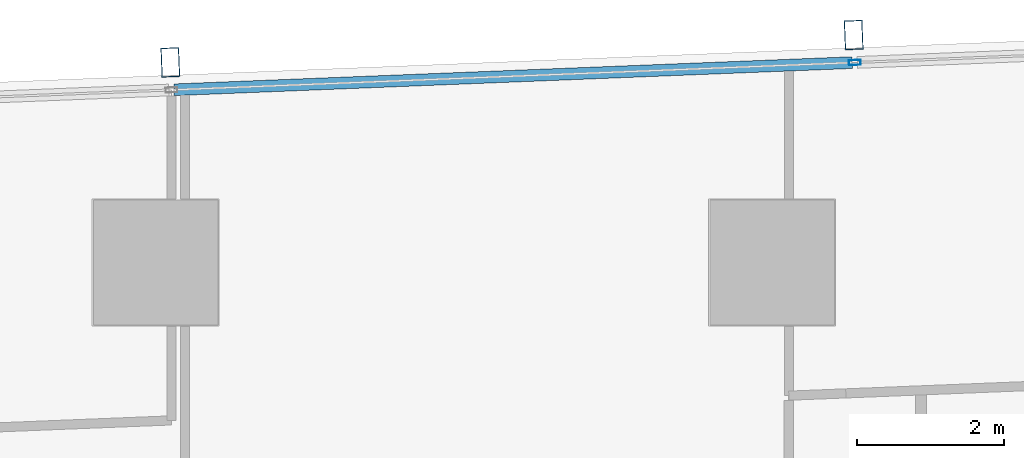
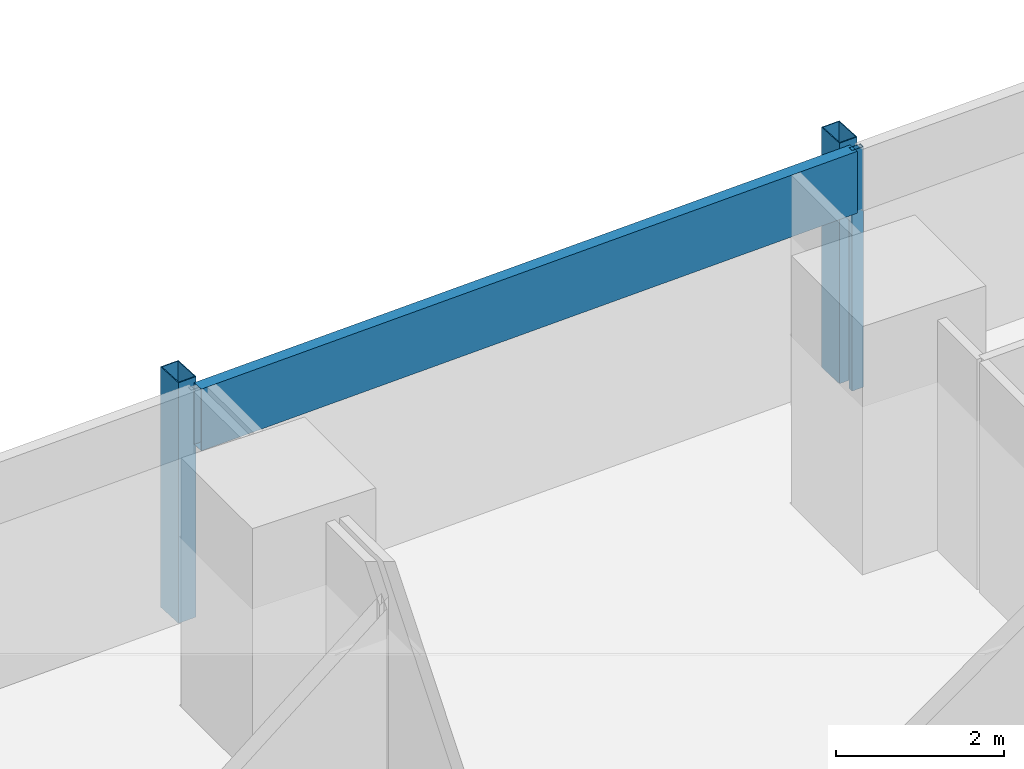
# One storey, part 17 of 40: 4 members, 1 element without a shape of its own.
"""IFC4 building model written with IfcOpenShell, lengths in metres."""

from ifc_helpers import new_model, si_unit, direction, frame, origin, origin_2d, place, context, subcontext, project, spatial, hollow_rectangle, extrude, material, material_profile, profile_set, type_object, element, aggregate, save


model = new_model("IFC4")

# Units and contexts
model_context = context("Model", 3, precision=1e-05, world=origin(), true_north=direction((0.0, 1.0)))
body_context = subcontext(model_context, "Body", "Model", "MODEL_VIEW")
ifc_project = project(units=[si_unit("LENGTHUNIT", "METRE"), si_unit("AREAUNIT", "SQUARE_METRE"), si_unit("VOLUMEUNIT", "CUBIC_METRE"), si_unit("PLANEANGLEUNIT", "RADIAN"), si_unit("MASSUNIT", "GRAM", prefix="KILO")], contexts=[model_context])

# Site, building, storey
site_placement = place(None, origin())
site = spatial("IfcSite", under=ifc_project, at=site_placement, CompositionType="ELEMENT")
building_placement = place(site_placement, origin())
building = spatial("IfcBuilding", under=site, at=building_placement, Name="Rekha Terrace Tower", CompositionType="ELEMENT")
storey_placement = place(building_placement, frame((0.0, 0.0, 106.550048828125)))
storey = spatial("IfcBuildingStorey", under=building, at=storey_placement, Name="L26", CompositionType="ELEMENT", Elevation=106.550048828125)

# Curtain wall, members
ifc_material_1 = material(Name="Aluminium framing", Category="aluminium")
curtain_wall_type = type_object("IfcCurtainWallType", Name="CW3 north unitised glazing", PredefinedType="USERDEFINED", material=ifc_material_1)
curtain_wall_placement = place(storey_placement, origin())
curtain_wall = element("IfcCurtainWall", 1, at=curtain_wall_placement, inside=storey, type_object=curtain_wall_type, Name="CW3 unitised curtain wall", ObjectType="UNITISED CURTAIN WALL", PredefinedType="USERDEFINED")
ifc_material_2 = material(Name="Steel S355 with fluorocarbon finish", Category="steel")
ifc_material_profile_1 = material_profile(ifc_material_2, hollow_rectangle(XDim=0.25, YDim=0.39990234375, WallThickness=0.012451171875, at=origin_2d()), Name="RHS400x250x12.5")
ifc_profile_set_1 = profile_set([ifc_material_profile_1], Name="Steel S355 with fluorocarbon finish")
member_type_1 = type_object("IfcMemberType", Name="BL1 facade blade RHS 400 x 250", PredefinedType="USERDEFINED", material=ifc_profile_set_1)
member_1_placement = place(storey_placement, frame((34.7109375, 61.9013671875, 0.0), z_axis=(0.0, 0.0, 1.0), x_axis=(-0.999198382632, -0.040032388711, 0.0)))
member_1 = element("IfcMember", 2, at=member_1_placement, type_object=member_type_1, Name="Facade blade", ObjectType="FACADE BLADE", PredefinedType="USERDEFINED", context=body_context, shape_type="SweptSolid", body=[
    extrude(hollow_rectangle(XDim=0.25, YDim=0.39990234375, WallThickness=0.012451171875, at=origin_2d()), origin(), (0.0, 0.0, 1.0), 3.5),
])
member_2_placement = place(storey_placement, frame((25.39892578125, 61.5283203125, 0.0), z_axis=(0.0, 0.0, 1.0), x_axis=(-0.999198382632, -0.040032388711, 0.0)))
member_2 = element("IfcMember", 3, at=member_2_placement, type_object=member_type_1, Name="Facade blade", ObjectType="FACADE BLADE", PredefinedType="USERDEFINED", context=body_context, shape_type="SweptSolid", body=[
    extrude(hollow_rectangle(XDim=0.25, YDim=0.39990234375, WallThickness=0.012451171875, at=origin_2d()), origin(), (0.0, 0.0, 1.0), 3.5),
])
ifc_material_3 = material(Name="Aluminium mullion section", Category="aluminium")
ifc_material_profile_2 = material_profile(ifc_material_3, hollow_rectangle(XDim=0.070068359375, YDim=0.159912109375, WallThickness=0.00390625, at=origin_2d()), Name="AL RHS 70x160")
ifc_profile_set_2 = profile_set([ifc_material_profile_2], Name="Aluminium mullion section")
member_type_2 = type_object("IfcMemberType", Name="CW3 mullion RHS 70 x 160", PredefinedType="MULLION", material=ifc_profile_set_2)
member_3_placement = place(storey_placement, frame((34.725830078125, 61.526611328125, 0.0), z_axis=(0.0, 0.0, 1.0), x_axis=(0.040031987119, -0.999198398721, 0.0)))
member_3 = element("IfcMember", 4, at=member_3_placement, type_object=member_type_2, Name="CW3 mullion 2", PredefinedType="MULLION", context=body_context, shape_type="SweptSolid", body=[
    extrude(hollow_rectangle(XDim=0.070068359375, YDim=0.159912109375, WallThickness=0.00390625, at=origin_2d()), origin(), (0.0, 0.0, 1.0), 3.5),
])
ifc_material_4 = material(Name="Insulated aluminium spandrel box", Category="aluminium")
ifc_material_profile_3 = material_profile(ifc_material_4, hollow_rectangle(XDim=0.159912109375, YDim=0.89990234375, WallThickness=0.0029296875, at=origin_2d()), Name="AL SPANDREL BOX 160x900")
ifc_profile_set_3 = profile_set([ifc_material_profile_3], Name="Insulated aluminium spandrel box")
member_type_3 = type_object("IfcMemberType", Name="CW3 spandrel transom 160 x 900", PredefinedType="USERDEFINED", material=ifc_profile_set_3)
member_4_placement = place(storey_placement, frame((34.69091796875, 61.525390625, 3.050048828125), z_axis=(-0.999198046754, -0.040040771263, 0.0), x_axis=(0.040040771263, -0.999198046754, 0.0)))
member_4 = element("IfcMember", 5, at=member_4_placement, type_object=member_type_3, Name="CW3 spandrel transom 2", ObjectType="TRANSOM", PredefinedType="USERDEFINED", context=body_context, shape_type="SweptSolid", body=[
    extrude(hollow_rectangle(XDim=0.159912109375, YDim=0.89990234375, WallThickness=0.0029296875, at=origin_2d()), origin(), (0.0, 0.0, 1.0), 9.24951171875),
])
aggregate(curtain_wall, [member_3, member_4, member_1, member_2])

save(model, "model.ifc")
